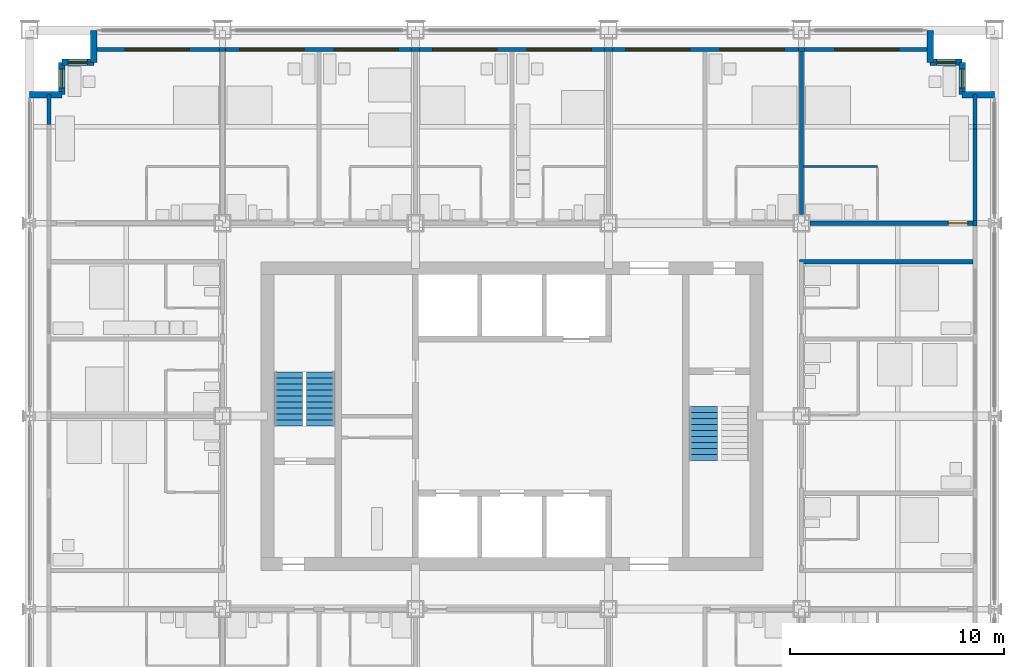
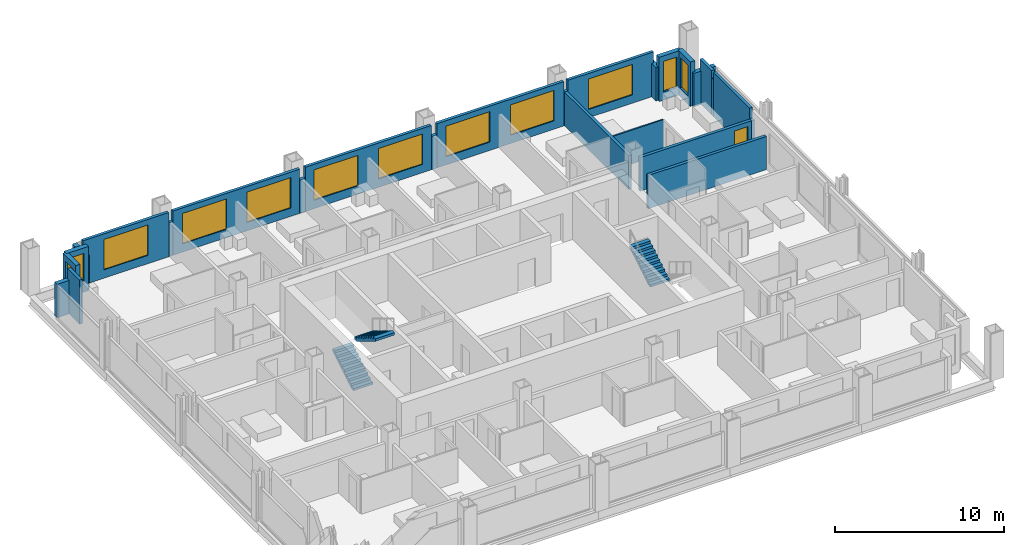
# One storey, part 13 of 17: 26 walls, 12 windows, 3 stair flights, 1 door, 13 openings, 2 elements without a shape of their own.
"""IFC4 building model written with IfcOpenShell, lengths in metres."""

from ifc_helpers import new_model, si_unit, direction, frame, frame_2d, origin, place, context, subcontext, project, spatial, polyline, rectangle, outline, extrude, material, layer, layer_set, type_object, element, fill, aggregate, save


model = new_model("IFC4")

# Units and contexts
model_context = context("Model", 3, precision=1e-05, world=origin(), true_north=direction((0.0, 1.0)))
body_context = subcontext(model_context, "Body", "Model", "MODEL_VIEW")
ifc_project = project(units=[si_unit("LENGTHUNIT", "METRE"), si_unit("AREAUNIT", "SQUARE_METRE"), si_unit("VOLUMEUNIT", "CUBIC_METRE"), si_unit("PLANEANGLEUNIT", "RADIAN"), si_unit("MASSUNIT", "GRAM", prefix="KILO")], contexts=[model_context])

# Site, building, storey
site_placement = place(None, origin())
site = spatial("IfcSite", under=ifc_project, at=site_placement, CompositionType="ELEMENT")
building_placement = place(site_placement, origin())
building = spatial("IfcBuilding", under=site, at=building_placement, Name="Loomwork Tower", CompositionType="ELEMENT")
storey_placement = place(building_placement, frame((0.0, 0.0, 145.199951171875)))
storey = spatial("IfcBuildingStorey", under=building, at=storey_placement, Name="L39", CompositionType="ELEMENT", Elevation=145.199951171875)

# Wall, opening, door
ifc_material_1 = material(Name="Gypsum board on steel studs, one-hour", Category="steel")
ifc_layer_1 = layer(ifc_material_1, 0.199951171875)
ifc_layer_set_1 = layer_set([ifc_layer_1], Name="Corridor wall 200")
wall_type_1 = type_object("IfcWallType", Name="Corridor wall 200", PredefinedType="PARTITIONING", material=ifc_layer_set_1)
wall_1_placement = place(storey_placement, frame((36.39990234375, 27.0, 0.0), z_axis=(0.0, 0.0, 1.0), x_axis=(1.0, 0.0, 0.0)))
wall_1 = element("IfcWall", 1, at=wall_1_placement, inside=storey, type_object=wall_type_1, Name="North corridor wall 5", PredefinedType="PARTITIONING", context=body_context, shape_type="SweptSolid", body=[
    extrude(rectangle(XDim=7.60009765625, YDim=0.199951171875, at=frame_2d((3.800048828125, 0.0))), origin(), (0.0, 0.0, 1.0), 2.43798828125),
])
opening_1_placement = place(wall_1_placement, frame((6.449951171875, 0.0, 0.0)))
opening_1 = element("IfcOpeningElement", 2, at=opening_1_placement, cuts=wall_1, Name="Opening D1", PredefinedType="OPENING", context=body_context, shape_type="SweptSolid", body=[
    extrude(rectangle(XDim=0.89990234375, YDim=2.10009765625, at=frame_2d((0.449951171875, 1.050048828125))), frame((0.0, 0.10986328125, 0.0), z_axis=(0.0, -1.0, 0.0), x_axis=(1.0, 0.0, 0.0)), (0.0, 0.0, 1.0), 0.219970703125),
])
ifc_material_2 = material(Name="Hollow metal door and frame")
door_type = type_object("IfcDoorType", Name="Guest room entry door 900", OperationType="SINGLE_SWING_LEFT", PredefinedType="DOOR", material=ifc_material_2)
door_placement = place(opening_1_placement, origin())
door = element("IfcDoor", 3, at=door_placement, inside=storey, type_object=door_type, Name="Guest room entry door L39 13", OperationType="SINGLE_SWING_RIGHT", OverallHeight=2.10009765625, OverallWidth=0.89990234375, PredefinedType="DOOR", context=body_context, shape_type="SweptSolid", body=[
    extrude(rectangle(XDim=0.89990234375, YDim=2.10009765625, at=frame_2d((0.449951171875, 1.050048828125))), frame((0.0, 0.02490234375, 0.0), z_axis=(0.0, -1.0, 0.0), x_axis=(1.0, 0.0, 0.0)), (0.0, 0.0, 1.0), 0.050048828125),
])
fill(opening_1, door)

# Walls
wall_2_placement = place(storey_placement, frame((35.89990234375, 25.199951171875, 0.0), z_axis=(0.0, 0.0, 1.0), x_axis=(1.0, 0.0, 0.0)))
element("IfcWall", 4, at=wall_2_placement, inside=storey, type_object=wall_type_1, Name="East band end wall N", PredefinedType="PARTITIONING", context=body_context, shape_type="SweptSolid", body=[
    extrude(rectangle(XDim=8.10009765625, YDim=0.199951171875, at=frame_2d((4.050048828125, 0.0))), origin(), (0.0, 0.0, 1.0), 2.404052734375),
])
ifc_material_3 = material(Name="Cement board on steel studs", Category="steel")
ifc_layer_2 = layer(ifc_material_3, 0.10009765625)
ifc_layer_set_2 = layer_set([ifc_layer_2], Name="En-suite partition 100")
wall_type_2 = type_object("IfcWallType", Name="En-suite partition 100", PredefinedType="PARTITIONING", material=ifc_layer_set_2)
wall_3_placement = place(storey_placement, frame((36.10009765625, 29.64990234375, 0.0), z_axis=(0.0, 0.0, 1.0), x_axis=(1.0, 0.0, 0.0)))
element("IfcWall", 5, at=wall_3_placement, inside=storey, type_object=wall_type_2, Name="En-suite wall L39 room 13", PredefinedType="PARTITIONING", context=body_context, shape_type="SweptSolid", body=[
    extrude(rectangle(XDim=3.449951171875, YDim=0.10009765625, at=frame_2d((1.72509765625, 0.0))), origin(), (0.0, 0.0, 1.0), 2.43798828125),
])
ifc_material_4 = material(Name="Gypsum board on steel studs, acoustic", Category="steel")
ifc_layer_3 = layer(ifc_material_4, 0.199951171875)
ifc_layer_set_3 = layer_set([ifc_layer_3], Name="Guest room party wall 200")
wall_type_3 = type_object("IfcWallType", Name="Guest room party wall 200", PredefinedType="PARTITIONING", material=ifc_layer_set_3)
wall_4_placement = place(storey_placement, frame((36.0, 27.39990234375, 0.0), z_axis=(0.0, 0.0, 1.0), x_axis=(0.0, 1.0, 0.0)))
element("IfcWall", 6, at=wall_4_placement, inside=storey, type_object=wall_type_3, Name="Guest room party wall N 36", PredefinedType="PARTITIONING", context=body_context, shape_type="SweptSolid", body=[
    extrude(rectangle(XDim=7.60009765625, YDim=0.199951171875, at=frame_2d((3.800048828125, 0.0))), origin(), (0.0, 0.0, 1.0), 2.43798828125),
])

# Wall, opening, window
ifc_material_5 = material(Name="Insulated steel stud wall with gypsum lining", Category="steel")
ifc_layer_4 = layer(ifc_material_5, 0.199951171875)
ifc_layer_set_4 = layer_set([ifc_layer_4], Name="Inner skin wall 200")
wall_type_4 = type_object("IfcWallType", Name="Inner skin wall 200", PredefinedType="SOLIDWALL", material=ifc_layer_set_4)
wall_5_placement = place(storey_placement, frame((3.0, 35.10009765625, 0.0), z_axis=(0.0, 0.0, 1.0), x_axis=(1.0, 0.0, 0.0)))
wall_5 = element("IfcWall", 7, at=wall_5_placement, inside=storey, type_object=wall_type_4, Name="Inner skin wall N", PredefinedType="SOLIDWALL", context=body_context, shape_type="SweptSolid", body=[
    extrude(rectangle(XDim=5.86474609375, YDim=0.199951171875, at=frame_2d((2.932373046875, 0.0))), origin(), (0.0, 0.0, 1.0), 3.199951171875),
])
opening_2_placement = place(wall_5_placement, frame((1.449951171875, 0.0, 0.60009765625)))
opening_2 = element("IfcOpeningElement", 8, at=opening_2_placement, cuts=wall_5, Name="Opening CH1", PredefinedType="OPENING", context=body_context, shape_type="SweptSolid", body=[
    extrude(rectangle(XDim=3.0, YDim=2.199951171875, at=frame_2d((1.5, 1.10009765625))), frame((0.0, 0.10986328125, 0.0), z_axis=(0.0, -1.0, 0.0), x_axis=(1.0, 0.0, 0.0)), (0.0, 0.0, 1.0), 0.219970703125),
])
ifc_material_6 = material(Name="Aluminium frame with clear insulated glass", Category="aluminium")
window_type_1 = type_object("IfcWindowType", Name="Chicago window 3000", PartitioningType="TRIPLE_PANEL_VERTICAL", PredefinedType="WINDOW", material=ifc_material_6)
window_1_placement = place(opening_2_placement, origin())
window_1 = element("IfcWindow", 9, at=window_1_placement, inside=storey, type_object=window_type_1, Name="Chicago window L39 bay 6", OverallHeight=2.199951171875, OverallWidth=3.0, PartitioningType="TRIPLE_PANEL_VERTICAL", PredefinedType="WINDOW", context=body_context, shape_type="SweptSolid", body=[
    extrude(rectangle(XDim=3.0, YDim=2.199951171875, at=frame_2d((1.5, 1.10009765625))), frame((0.0, 0.030029296875, 0.0), z_axis=(0.0, -1.0, 0.0), x_axis=(1.0, 0.0, 0.0)), (0.0, 0.0, 1.0), 0.06005859375),
])
fill(opening_2, window_1)

# Walls
wall_6_placement = place(storey_placement, frame((0.89990234375, 31.607421875, 0.0), z_axis=(0.0, 0.0, 1.0), x_axis=(0.0, 1.0, 0.0)))
element("IfcWall", 10, at=wall_6_placement, inside=storey, type_object=wall_type_4, Name="Inner skin wall W bay 11", PredefinedType="SOLIDWALL", context=body_context, shape_type="SweptSolid", body=[
    extrude(rectangle(XDim=1.392578125, YDim=0.199951171875, at=frame_2d((0.6962890625, 0.0))), origin(), (0.0, 0.0, 1.0), 3.199951171875),
])
wall_7_placement = place(storey_placement, frame((8.86474609375, 35.10009765625, 0.0), z_axis=(0.0, 0.0, 1.0), x_axis=(1.0, 0.0, 0.0)))
element("IfcWall", 11, at=wall_7_placement, inside=storey, type_object=wall_type_4, Name="Inner skin wall N bay 2", PredefinedType="SOLIDWALL", context=body_context, shape_type="SweptSolid", body=[
    extrude(rectangle(XDim=0.2705078125, YDim=0.199951171875, at=frame_2d((0.13525390625, 0.0))), origin(), (0.0, 0.0, 1.0), 2.43798828125),
])

# Wall, openings, windows
wall_8_placement = place(storey_placement, frame((9.13525390625, 35.10009765625, 0.0), z_axis=(0.0, 0.0, 1.0), x_axis=(1.0, 0.0, 0.0)))
wall_8 = element("IfcWall", 12, at=wall_8_placement, inside=storey, type_object=wall_type_4, Name="Inner skin wall N bay 3", PredefinedType="SOLIDWALL", context=body_context, shape_type="SweptSolid", body=[
    extrude(rectangle(XDim=8.6708984375, YDim=0.199951171875, at=frame_2d((4.33544921875, 0.0))), origin(), (0.0, 0.0, 1.0), 3.199951171875),
])
opening_3_placement = place(wall_8_placement, frame((0.664794921875, 0.0, 0.60009765625)))
opening_3 = element("IfcOpeningElement", 13, at=opening_3_placement, cuts=wall_8, Name="Opening CH1", PredefinedType="OPENING", context=body_context, shape_type="SweptSolid", body=[
    extrude(rectangle(XDim=3.0, YDim=2.199951171875, at=frame_2d((1.5, 1.10009765625))), frame((0.0, 0.10986328125, 0.0), z_axis=(0.0, -1.0, 0.0), x_axis=(1.0, 0.0, 0.0)), (0.0, 0.0, 1.0), 0.219970703125),
])
opening_4_placement = place(wall_8_placement, frame((5.064697265625, 0.0, 0.60009765625)))
opening_4 = element("IfcOpeningElement", 14, at=opening_4_placement, cuts=wall_8, Name="Opening CH1", PredefinedType="OPENING", context=body_context, shape_type="SweptSolid", body=[
    extrude(rectangle(XDim=3.0, YDim=2.199951171875, at=frame_2d((1.5, 1.10009765625))), frame((0.0, 0.10986328125, 0.0), z_axis=(0.0, -1.0, 0.0), x_axis=(1.0, 0.0, 0.0)), (0.0, 0.0, 1.0), 0.219970703125),
])
window_2_placement = place(opening_3_placement, origin())
window_2 = element("IfcWindow", 15, at=window_2_placement, inside=storey, type_object=window_type_1, Name="Chicago window L39 bay 7", OverallHeight=2.199951171875, OverallWidth=3.0, PartitioningType="TRIPLE_PANEL_VERTICAL", PredefinedType="WINDOW", context=body_context, shape_type="SweptSolid", body=[
    extrude(rectangle(XDim=3.0, YDim=2.199951171875, at=frame_2d((1.5, 1.10009765625))), frame((0.0, 0.030029296875, 0.0), z_axis=(0.0, -1.0, 0.0), x_axis=(1.0, 0.0, 0.0)), (0.0, 0.0, 1.0), 0.06005859375),
])
fill(opening_3, window_2)
window_3_placement = place(opening_4_placement, origin())
window_3 = element("IfcWindow", 16, at=window_3_placement, inside=storey, type_object=window_type_1, Name="Chicago window L39 bay 7", OverallHeight=2.199951171875, OverallWidth=3.0, PartitioningType="TRIPLE_PANEL_VERTICAL", PredefinedType="WINDOW", context=body_context, shape_type="SweptSolid", body=[
    extrude(rectangle(XDim=3.0, YDim=2.199951171875, at=frame_2d((1.5, 1.10009765625))), frame((0.0, 0.030029296875, 0.0), z_axis=(0.0, -1.0, 0.0), x_axis=(1.0, 0.0, 0.0)), (0.0, 0.0, 1.0), 0.06005859375),
])
fill(opening_4, window_3)

# Wall
wall_9_placement = place(storey_placement, frame((17.80615234375, 35.10009765625, 0.0), z_axis=(0.0, 0.0, 1.0), x_axis=(1.0, 0.0, 0.0)))
element("IfcWall", 17, at=wall_9_placement, inside=storey, type_object=wall_type_4, Name="Inner skin wall N bay 4", PredefinedType="SOLIDWALL", context=body_context, shape_type="SweptSolid", body=[
    extrude(rectangle(XDim=0.3876953125, YDim=0.199951171875, at=frame_2d((0.19384765625, 0.0))), origin(), (0.0, 0.0, 1.0), 2.404052734375),
])

# Wall, openings, windows
wall_10_placement = place(storey_placement, frame((18.19384765625, 35.10009765625, 0.0), z_axis=(0.0, 0.0, 1.0), x_axis=(1.0, 0.0, 0.0)))
wall_10 = element("IfcWall", 18, at=wall_10_placement, inside=storey, type_object=wall_type_4, Name="Inner skin wall N bay 5", PredefinedType="SOLIDWALL", context=body_context, shape_type="SweptSolid", body=[
    extrude(rectangle(XDim=8.6123046875, YDim=0.199951171875, at=frame_2d((4.30615234375, 0.0))), origin(), (0.0, 0.0, 1.0), 3.199951171875),
])
opening_5_placement = place(wall_10_placement, frame((0.606201171875, 0.0, 0.60009765625)))
opening_5 = element("IfcOpeningElement", 19, at=opening_5_placement, cuts=wall_10, Name="Opening CH1", PredefinedType="OPENING", context=body_context, shape_type="SweptSolid", body=[
    extrude(rectangle(XDim=3.0, YDim=2.199951171875, at=frame_2d((1.5, 1.10009765625))), frame((0.0, 0.10986328125, 0.0), z_axis=(0.0, -1.0, 0.0), x_axis=(1.0, 0.0, 0.0)), (0.0, 0.0, 1.0), 0.219970703125),
])
opening_6_placement = place(wall_10_placement, frame((5.006103515625, 0.0, 0.60009765625)))
opening_6 = element("IfcOpeningElement", 20, at=opening_6_placement, cuts=wall_10, Name="Opening CH1", PredefinedType="OPENING", context=body_context, shape_type="SweptSolid", body=[
    extrude(rectangle(XDim=3.0, YDim=2.199951171875, at=frame_2d((1.5, 1.10009765625))), frame((0.0, 0.10986328125, 0.0), z_axis=(0.0, -1.0, 0.0), x_axis=(1.0, 0.0, 0.0)), (0.0, 0.0, 1.0), 0.219970703125),
])
window_4_placement = place(opening_5_placement, origin())
window_4 = element("IfcWindow", 21, at=window_4_placement, inside=storey, type_object=window_type_1, Name="Chicago window L39 bay 8", OverallHeight=2.199951171875, OverallWidth=3.0, PartitioningType="TRIPLE_PANEL_VERTICAL", PredefinedType="WINDOW", context=body_context, shape_type="SweptSolid", body=[
    extrude(rectangle(XDim=3.0, YDim=2.199951171875, at=frame_2d((1.5, 1.10009765625))), frame((0.0, 0.030029296875, 0.0), z_axis=(0.0, -1.0, 0.0), x_axis=(1.0, 0.0, 0.0)), (0.0, 0.0, 1.0), 0.06005859375),
])
fill(opening_5, window_4)
window_5_placement = place(opening_6_placement, origin())
window_5 = element("IfcWindow", 22, at=window_5_placement, inside=storey, type_object=window_type_1, Name="Chicago window L39 bay 8", OverallHeight=2.199951171875, OverallWidth=3.0, PartitioningType="TRIPLE_PANEL_VERTICAL", PredefinedType="WINDOW", context=body_context, shape_type="SweptSolid", body=[
    extrude(rectangle(XDim=3.0, YDim=2.199951171875, at=frame_2d((1.5, 1.10009765625))), frame((0.0, 0.030029296875, 0.0), z_axis=(0.0, -1.0, 0.0), x_axis=(1.0, 0.0, 0.0)), (0.0, 0.0, 1.0), 0.06005859375),
])
fill(opening_6, window_5)

# Wall
wall_11_placement = place(storey_placement, frame((26.80615234375, 35.10009765625, 0.0), z_axis=(0.0, 0.0, 1.0), x_axis=(1.0, 0.0, 0.0)))
element("IfcWall", 23, at=wall_11_placement, inside=storey, type_object=wall_type_4, Name="Inner skin wall N bay 6", PredefinedType="SOLIDWALL", context=body_context, shape_type="SweptSolid", body=[
    extrude(rectangle(XDim=0.3876953125, YDim=0.199951171875, at=frame_2d((0.19384765625, 0.0))), origin(), (0.0, 0.0, 1.0), 2.404052734375),
])

# Wall, openings, windows
wall_12_placement = place(storey_placement, frame((27.19384765625, 35.10009765625, 0.0), z_axis=(0.0, 0.0, 1.0), x_axis=(1.0, 0.0, 0.0)))
wall_12 = element("IfcWall", 24, at=wall_12_placement, inside=storey, type_object=wall_type_4, Name="Inner skin wall N bay 7", PredefinedType="SOLIDWALL", context=body_context, shape_type="SweptSolid", body=[
    extrude(rectangle(XDim=8.670654296875, YDim=0.199951171875, at=frame_2d((4.33544921875, 0.0))), origin(), (0.0, 0.0, 1.0), 3.199951171875),
])
opening_7_placement = place(wall_12_placement, frame((0.606201171875, 0.0, 0.60009765625)))
opening_7 = element("IfcOpeningElement", 25, at=opening_7_placement, cuts=wall_12, Name="Opening CH1", PredefinedType="OPENING", context=body_context, shape_type="SweptSolid", body=[
    extrude(rectangle(XDim=3.0, YDim=2.199951171875, at=frame_2d((1.5, 1.10009765625))), frame((0.0, 0.10986328125, 0.0), z_axis=(0.0, -1.0, 0.0), x_axis=(1.0, 0.0, 0.0)), (0.0, 0.0, 1.0), 0.219970703125),
])
opening_8_placement = place(wall_12_placement, frame((5.006103515625, 0.0, 0.60009765625)))
opening_8 = element("IfcOpeningElement", 26, at=opening_8_placement, cuts=wall_12, Name="Opening CH1", PredefinedType="OPENING", context=body_context, shape_type="SweptSolid", body=[
    extrude(rectangle(XDim=3.0, YDim=2.199951171875, at=frame_2d((1.5, 1.10009765625))), frame((0.0, 0.10986328125, 0.0), z_axis=(0.0, -1.0, 0.0), x_axis=(1.0, 0.0, 0.0)), (0.0, 0.0, 1.0), 0.219970703125),
])
window_6_placement = place(opening_7_placement, origin())
window_6 = element("IfcWindow", 27, at=window_6_placement, inside=storey, type_object=window_type_1, Name="Chicago window L39 bay 9", OverallHeight=2.199951171875, OverallWidth=3.0, PartitioningType="TRIPLE_PANEL_VERTICAL", PredefinedType="WINDOW", context=body_context, shape_type="SweptSolid", body=[
    extrude(rectangle(XDim=3.0, YDim=2.199951171875, at=frame_2d((1.5, 1.10009765625))), frame((0.0, 0.030029296875, 0.0), z_axis=(0.0, -1.0, 0.0), x_axis=(1.0, 0.0, 0.0)), (0.0, 0.0, 1.0), 0.06005859375),
])
fill(opening_7, window_6)
window_7_placement = place(opening_8_placement, origin())
window_7 = element("IfcWindow", 28, at=window_7_placement, inside=storey, type_object=window_type_1, Name="Chicago window L39 bay 9", OverallHeight=2.199951171875, OverallWidth=3.0, PartitioningType="TRIPLE_PANEL_VERTICAL", PredefinedType="WINDOW", context=body_context, shape_type="SweptSolid", body=[
    extrude(rectangle(XDim=3.0, YDim=2.199951171875, at=frame_2d((1.5, 1.10009765625))), frame((0.0, 0.030029296875, 0.0), z_axis=(0.0, -1.0, 0.0), x_axis=(1.0, 0.0, 0.0)), (0.0, 0.0, 1.0), 0.06005859375),
])
fill(opening_8, window_7)

# Wall
wall_13_placement = place(storey_placement, frame((35.864501953125, 35.10009765625, 0.0), z_axis=(0.0, 0.0, 1.0), x_axis=(1.0, 0.0, 0.0)))
element("IfcWall", 29, at=wall_13_placement, inside=storey, type_object=wall_type_4, Name="Inner skin wall N bay 8", PredefinedType="SOLIDWALL", context=body_context, shape_type="SweptSolid", body=[
    extrude(rectangle(XDim=0.27099609375, YDim=0.199951171875, at=frame_2d((0.135498046875, 0.0))), origin(), (0.0, 0.0, 1.0), 2.43798828125),
])

# Wall, opening, window
wall_14_placement = place(storey_placement, frame((36.135498046875, 35.10009765625, 0.0), z_axis=(0.0, 0.0, 1.0), x_axis=(1.0, 0.0, 0.0)))
wall_14 = element("IfcWall", 30, at=wall_14_placement, inside=storey, type_object=wall_type_4, Name="Inner skin wall N bay 9", PredefinedType="SOLIDWALL", context=body_context, shape_type="SweptSolid", body=[
    extrude(rectangle(XDim=5.864501953125, YDim=0.199951171875, at=frame_2d((2.93212890625, 0.0))), origin(), (0.0, 0.0, 1.0), 3.199951171875),
])
opening_9_placement = place(wall_14_placement, frame((1.41455078125, 0.0, 0.60009765625)))
opening_9 = element("IfcOpeningElement", 31, at=opening_9_placement, cuts=wall_14, Name="Opening CH1", PredefinedType="OPENING", context=body_context, shape_type="SweptSolid", body=[
    extrude(rectangle(XDim=3.0, YDim=2.199951171875, at=frame_2d((1.5, 1.10009765625))), frame((0.0, 0.10986328125, 0.0), z_axis=(0.0, -1.0, 0.0), x_axis=(1.0, 0.0, 0.0)), (0.0, 0.0, 1.0), 0.219970703125),
])
window_8_placement = place(opening_9_placement, origin())
window_8 = element("IfcWindow", 32, at=window_8_placement, inside=storey, type_object=window_type_1, Name="Chicago window L39 bay 10", OverallHeight=2.199951171875, OverallWidth=3.0, PartitioningType="TRIPLE_PANEL_VERTICAL", PredefinedType="WINDOW", context=body_context, shape_type="SweptSolid", body=[
    extrude(rectangle(XDim=3.0, YDim=2.199951171875, at=frame_2d((1.5, 1.10009765625))), frame((0.0, 0.030029296875, 0.0), z_axis=(0.0, -1.0, 0.0), x_axis=(1.0, 0.0, 0.0)), (0.0, 0.0, 1.0), 0.06005859375),
])
fill(opening_9, window_8)

# Walls
wall_15_placement = place(storey_placement, frame((44.10009765625, 26.86474609375, 0.0), z_axis=(0.0, 0.0, 1.0), x_axis=(0.0, 1.0, 0.0)))
element("IfcWall", 33, at=wall_15_placement, inside=storey, type_object=wall_type_4, Name="Inner skin wall E bay 8", PredefinedType="SOLIDWALL", context=body_context, shape_type="SweptSolid", body=[
    extrude(rectangle(XDim=0.2705078125, YDim=0.199951171875, at=frame_2d((0.13525390625, 0.0))), origin(), (0.0, 0.0, 1.0), 2.43798828125),
])
wall_16_placement = place(storey_placement, frame((44.10009765625, 27.13525390625, 0.0), z_axis=(0.0, 0.0, 1.0), x_axis=(0.0, 1.0, 0.0)))
element("IfcWall", 34, at=wall_16_placement, inside=storey, type_object=wall_type_4, Name="Inner skin wall E bay 9", PredefinedType="SOLIDWALL", context=body_context, shape_type="SweptSolid", body=[
    extrude(rectangle(XDim=4.25732421875, YDim=0.199951171875, at=frame_2d((2.128662109375, 0.0))), origin(), (0.0, 0.0, 1.0), 3.199951171875),
])
wall_17_placement = place(storey_placement, frame((44.10009765625, 31.392578125, 0.0), z_axis=(0.0, 0.0, 1.0), x_axis=(0.0, 1.0, 0.0)))
element("IfcWall", 35, at=wall_17_placement, inside=storey, type_object=wall_type_4, Name="Inner skin wall E bay 10", PredefinedType="SOLIDWALL", context=body_context, shape_type="SweptSolid", body=[
    extrude(rectangle(XDim=0.21484375, YDim=0.199951171875, at=frame_2d((0.107421875, 0.0))), origin(), (0.0, 0.0, 1.0), 2.6611328125),
])
wall_18_placement = place(storey_placement, frame((44.10009765625, 31.607421875, 0.0), z_axis=(0.0, 0.0, 1.0), x_axis=(0.0, 1.0, 0.0)))
element("IfcWall", 36, at=wall_18_placement, inside=storey, type_object=wall_type_4, Name="Inner skin wall E bay 11", PredefinedType="SOLIDWALL", context=body_context, shape_type="SweptSolid", body=[
    extrude(rectangle(XDim=1.392578125, YDim=0.199951171875, at=frame_2d((0.6962890625, 0.0))), origin(), (0.0, 0.0, 1.0), 3.199951171875),
])
ifc_material_7 = material(Name="Limestone on concrete masonry", Category="masonry")
ifc_layer_5 = layer(ifc_material_7, 0.300048828125)
ifc_layer_set_5 = layer_set([ifc_layer_5], Name="Limestone corner wall 300")
wall_type_5 = type_object("IfcWallType", Name="Limestone corner wall 300", PredefinedType="SOLIDWALL", material=ifc_layer_set_5)
wall_19_placement = place(storey_placement, frame((45.0, 33.0, 0.0), z_axis=(0.0, 0.0, 1.0), x_axis=(-1.0, 0.0, 0.0)))
element("IfcWall", 37, at=wall_19_placement, inside=storey, type_object=wall_type_5, Name="Stone corner wall NE 1", PredefinedType="SOLIDWALL", context=body_context, shape_type="SweptSolid", body=[
    extrude(rectangle(XDim=1.5, YDim=0.300048828125, at=frame_2d((0.75, 0.0))), origin(), (0.0, 0.0, 1.0), 2.420166015625),
])

# Wall, opening, window
wall_20_placement = place(storey_placement, frame((43.5, 33.0, 0.0), z_axis=(0.0, 0.0, 1.0), x_axis=(0.0, 1.0, 0.0)))
wall_20 = element("IfcWall", 38, at=wall_20_placement, inside=storey, type_object=wall_type_5, Name="Stone corner wall NE 2", PredefinedType="SOLIDWALL", context=body_context, shape_type="SweptSolid", body=[
    extrude(rectangle(XDim=1.5, YDim=0.300048828125, at=frame_2d((0.75, 0.0))), origin(), (0.0, 0.0, 1.0), 3.199951171875),
])
opening_10_placement = place(wall_20_placement, frame((0.300048828125, 0.0, 0.60009765625)))
opening_10 = element("IfcOpeningElement", 39, at=opening_10_placement, cuts=wall_20, Name="Opening CH2", PredefinedType="OPENING", context=body_context, shape_type="SweptSolid", body=[
    extrude(rectangle(XDim=0.89990234375, YDim=2.199951171875, at=frame_2d((0.449951171875, 1.10009765625))), frame((0.0, 0.159912109375, 0.0), z_axis=(0.0, -1.0, 0.0), x_axis=(1.0, 0.0, 0.0)), (0.0, 0.0, 1.0), 0.320068359375),
])
ifc_material_8 = material(Name="Aluminium frame with clear insulated glass", Category="aluminium")
window_type_2 = type_object("IfcWindowType", Name="Corner window 900", PartitioningType="SINGLE_PANEL", PredefinedType="WINDOW", material=ifc_material_8)
window_9_placement = place(opening_10_placement, origin())
window_9 = element("IfcWindow", 40, at=window_9_placement, inside=storey, type_object=window_type_2, Name="Corner window NE", OverallHeight=2.199951171875, OverallWidth=0.89990234375, PartitioningType="SINGLE_PANEL", PredefinedType="WINDOW", context=body_context, shape_type="SweptSolid", body=[
    extrude(rectangle(XDim=0.89990234375, YDim=2.199951171875, at=frame_2d((0.449951171875, 1.10009765625))), frame((0.0, 0.030029296875, 0.0), z_axis=(0.0, -1.0, 0.0), x_axis=(1.0, 0.0, 0.0)), (0.0, 0.0, 1.0), 0.06005859375),
])
fill(opening_10, window_9)

wall_21_placement = place(storey_placement, frame((43.5, 34.5, 0.0), z_axis=(0.0, 0.0, 1.0), x_axis=(-1.0, 0.0, 0.0)))
wall_21 = element("IfcWall", 41, at=wall_21_placement, inside=storey, type_object=wall_type_5, Name="Stone corner wall NE 3", PredefinedType="SOLIDWALL", context=body_context, shape_type="SweptSolid", body=[
    extrude(rectangle(XDim=1.5, YDim=0.300048828125, at=frame_2d((0.75, 0.0))), origin(), (0.0, 0.0, 1.0), 3.199951171875),
])
opening_11_placement = place(wall_21_placement, frame((0.300048828125, 0.0, 0.60009765625)))
opening_11 = element("IfcOpeningElement", 42, at=opening_11_placement, cuts=wall_21, Name="Opening CH2", PredefinedType="OPENING", context=body_context, shape_type="SweptSolid", body=[
    extrude(rectangle(XDim=0.89990234375, YDim=2.199951171875, at=frame_2d((0.449951171875, 1.10009765625))), frame((0.0, 0.159912109375, 0.0), z_axis=(0.0, -1.0, 0.0), x_axis=(1.0, 0.0, 0.0)), (0.0, 0.0, 1.0), 0.320068359375),
])
window_10_placement = place(opening_11_placement, origin())
window_10 = element("IfcWindow", 43, at=window_10_placement, inside=storey, type_object=window_type_2, Name="Corner window NE", OverallHeight=2.199951171875, OverallWidth=0.89990234375, PartitioningType="SINGLE_PANEL", PredefinedType="WINDOW", context=body_context, shape_type="SweptSolid", body=[
    extrude(rectangle(XDim=0.89990234375, YDim=2.199951171875, at=frame_2d((0.449951171875, 1.10009765625))), frame((0.0, 0.030029296875, 0.0), z_axis=(0.0, -1.0, 0.0), x_axis=(1.0, 0.0, 0.0)), (0.0, 0.0, 1.0), 0.06005859375),
])
fill(opening_11, window_10)

# Walls
for number, where, z_axis, x_axis, name in (
    (44, (42.0, 34.5, 0.0), (0.0, 0.0, 1.0), (0.0, 1.0, 0.0), "Stone corner wall NE 4"),
    (45, (3.0, 36.0, 0.0), (0.0, 0.0, 1.0), (0.0, -1.0, 0.0), "Stone corner wall NW 1"),
):
    element("IfcWall", number, at=place(storey_placement, frame(where, z_axis=z_axis, x_axis=x_axis)), inside=storey, type_object=wall_type_5, Name=name, PredefinedType="SOLIDWALL", context=body_context, shape_type="SweptSolid", body=[
        extrude(rectangle(XDim=1.5, YDim=0.300048828125, at=frame_2d((0.75, 0.0))), origin(), (0.0, 0.0, 1.0), 2.420166015625),
    ])

# Wall, opening, window
wall_22_placement = place(storey_placement, frame((3.0, 34.5, 0.0), z_axis=(0.0, 0.0, 1.0), x_axis=(-1.0, 0.0, 0.0)))
wall_22 = element("IfcWall", 46, at=wall_22_placement, inside=storey, type_object=wall_type_5, Name="Stone corner wall NW 2", PredefinedType="SOLIDWALL", context=body_context, shape_type="SweptSolid", body=[
    extrude(rectangle(XDim=1.5, YDim=0.300048828125, at=frame_2d((0.75, 0.0))), origin(), (0.0, 0.0, 1.0), 3.199951171875),
])
opening_12_placement = place(wall_22_placement, frame((0.300048828125, 0.0, 0.60009765625)))
opening_12 = element("IfcOpeningElement", 47, at=opening_12_placement, cuts=wall_22, Name="Opening CH2", PredefinedType="OPENING", context=body_context, shape_type="SweptSolid", body=[
    extrude(rectangle(XDim=0.89990234375, YDim=2.199951171875, at=frame_2d((0.449951171875, 1.10009765625))), frame((0.0, 0.159912109375, 0.0), z_axis=(0.0, -1.0, 0.0), x_axis=(1.0, 0.0, 0.0)), (0.0, 0.0, 1.0), 0.320068359375),
])
window_11_placement = place(opening_12_placement, origin())
window_11 = element("IfcWindow", 48, at=window_11_placement, inside=storey, type_object=window_type_2, Name="Corner window NW", OverallHeight=2.199951171875, OverallWidth=0.89990234375, PartitioningType="SINGLE_PANEL", PredefinedType="WINDOW", context=body_context, shape_type="SweptSolid", body=[
    extrude(rectangle(XDim=0.89990234375, YDim=2.199951171875, at=frame_2d((0.449951171875, 1.10009765625))), frame((0.0, 0.030029296875, 0.0), z_axis=(0.0, -1.0, 0.0), x_axis=(1.0, 0.0, 0.0)), (0.0, 0.0, 1.0), 0.06005859375),
])
fill(opening_12, window_11)

wall_23_placement = place(storey_placement, frame((1.5, 34.5, 0.0), z_axis=(0.0, 0.0, 1.0), x_axis=(0.0, -1.0, 0.0)))
wall_23 = element("IfcWall", 49, at=wall_23_placement, inside=storey, type_object=wall_type_5, Name="Stone corner wall NW 3", PredefinedType="SOLIDWALL", context=body_context, shape_type="SweptSolid", body=[
    extrude(rectangle(XDim=1.5, YDim=0.300048828125, at=frame_2d((0.75, 0.0))), origin(), (0.0, 0.0, 1.0), 3.199951171875),
])
opening_13_placement = place(wall_23_placement, frame((0.300048828125, 0.0, 0.60009765625)))
opening_13 = element("IfcOpeningElement", 50, at=opening_13_placement, cuts=wall_23, Name="Opening CH2", PredefinedType="OPENING", context=body_context, shape_type="SweptSolid", body=[
    extrude(rectangle(XDim=0.89990234375, YDim=2.199951171875, at=frame_2d((0.449951171875, 1.10009765625))), frame((0.0, 0.159912109375, 0.0), z_axis=(0.0, -1.0, 0.0), x_axis=(1.0, 0.0, 0.0)), (0.0, 0.0, 1.0), 0.320068359375),
])
window_12_placement = place(opening_13_placement, origin())
window_12 = element("IfcWindow", 51, at=window_12_placement, inside=storey, type_object=window_type_2, Name="Corner window NW", OverallHeight=2.199951171875, OverallWidth=0.89990234375, PartitioningType="SINGLE_PANEL", PredefinedType="WINDOW", context=body_context, shape_type="SweptSolid", body=[
    extrude(rectangle(XDim=0.89990234375, YDim=2.199951171875, at=frame_2d((0.449951171875, 1.10009765625))), frame((0.0, 0.030029296875, 0.0), z_axis=(0.0, -1.0, 0.0), x_axis=(1.0, 0.0, 0.0)), (0.0, 0.0, 1.0), 0.06005859375),
])
fill(opening_13, window_12)

# Wall
wall_24_placement = place(storey_placement, frame((1.5, 33.0, 0.0), z_axis=(0.0, 0.0, 1.0), x_axis=(-1.0, 0.0, 0.0)))
element("IfcWall", 52, at=wall_24_placement, inside=storey, type_object=wall_type_5, Name="Stone corner wall NW 4", PredefinedType="SOLIDWALL", context=body_context, shape_type="SweptSolid", body=[
    extrude(rectangle(XDim=1.5, YDim=0.300048828125, at=frame_2d((0.75, 0.0))), origin(), (0.0, 0.0, 1.0), 2.420166015625),
])

# Stair, stair flights
ifc_material_9 = material(Name="Concrete 5000 psi (34 MPa) precast stair", Category="concrete")
stair_type_1 = type_object("IfcStairType", Name="Stair ST-A 20 risers 2850 wide", PredefinedType="HALF_TURN_STAIR", material=ifc_material_9)
stair_1_placement = place(storey_placement, origin())
stair_1 = element("IfcStair", 53, at=stair_1_placement, inside=storey, type_object=stair_type_1, Name="Stair A L39", PredefinedType="HALF_TURN_STAIR")
ifc_material_10 = material(Name="Concrete 5000 psi (34 MPa) precast stair", Category="concrete")
stair_flight_type_1 = type_object("IfcStairFlightType", Name="Stair flight ST-A 10 risers 1300 wide", PredefinedType="STRAIGHT", material=ifc_material_10)
stair_flight_1_placement = place(storey_placement, frame((12.074951171875, 17.550048828125, 0.0), z_axis=(0.0, 0.0, 1.0), x_axis=(0.0, 1.0, 0.0)))
stair_flight_1 = element("IfcStairFlight", 54, at=stair_flight_1_placement, type_object=stair_flight_type_1, Name="ST-A flight 1", NumberOfRisers=10, NumberOfTreads=9, PredefinedType="STRAIGHT", RiserHeight=0.17, TreadLength=0.28, context=body_context, shape_type="SweptSolid", body=[
    extrude(outline(polyline([(0.0, 0.0), (0.0, 0.169921875), (0.280029296875, 0.169921875), (0.280029296875, 0.340087890625), (0.56005859375, 0.340087890625), (0.56005859375, 0.510009765625), (0.840087890625, 0.510009765625), (0.840087890625, 0.679931640625), (1.1201171875, 0.679931640625), (1.1201171875, 0.85009765625), (1.39990234375, 0.85009765625), (1.39990234375, 1.02001953125), (1.679931640625, 1.02001953125), (1.679931640625, 1.18994140625), (1.9599609375, 1.18994140625), (1.9599609375, 1.360107421875), (2.239990234375, 1.360107421875), (2.239990234375, 1.530029296875), (2.52001953125, 1.530029296875), (2.52001953125, 1.699951171875), (2.52001953125, 1.354736328125), (0.288818359375, 0.0), (0.0, 0.0)])), frame((0.0, 0.64990234375, 0.0), z_axis=(0.0, -1.0, 0.0), x_axis=(1.0, 0.0, 0.0)), (0.0, 0.0, 1.0), 1.300048828125),
])
stair_flight_2_placement = place(storey_placement, frame((13.574951171875, 20.070068359375, 1.699951171875), z_axis=(0.0, 0.0, 1.0), x_axis=(0.0, -1.0, 0.0)))
stair_flight_2 = element("IfcStairFlight", 55, at=stair_flight_2_placement, type_object=stair_flight_type_1, Name="ST-A flight 2", NumberOfRisers=10, NumberOfTreads=9, PredefinedType="STRAIGHT", RiserHeight=0.17, TreadLength=0.28, context=body_context, shape_type="SweptSolid", body=[
    extrude(outline(polyline([(0.0, 0.0), (0.0, 0.169921875), (0.280029296875, 0.169921875), (0.280029296875, 0.340087890625), (0.56005859375, 0.340087890625), (0.56005859375, 0.510009765625), (0.840087890625, 0.510009765625), (0.840087890625, 0.679931640625), (1.1201171875, 0.679931640625), (1.1201171875, 0.85009765625), (1.39990234375, 0.85009765625), (1.39990234375, 1.02001953125), (1.679931640625, 1.02001953125), (1.679931640625, 1.18994140625), (1.9599609375, 1.18994140625), (1.9599609375, 1.360107421875), (2.239990234375, 1.360107421875), (2.239990234375, 1.530029296875), (2.52001953125, 1.530029296875), (2.52001953125, 1.699951171875), (2.52001953125, 1.354736328125), (0.288818359375, 0.0), (0.0, 0.0)])), frame((0.0, 0.64990234375, 0.0), z_axis=(0.0, -1.0, 0.0), x_axis=(1.0, 0.0, 0.0)), (0.0, 0.0, 1.0), 1.300048828125),
])
aggregate(stair_1, [stair_flight_1, stair_flight_2])

# Stair, stair flight
ifc_material_11 = material(Name="Concrete 5000 psi (34 MPa) precast stair", Category="concrete")
stair_type_2 = type_object("IfcStairType", Name="Stair ST-B 20 risers 2850 wide", PredefinedType="HALF_TURN_STAIR", material=ifc_material_11)
stair_2_placement = place(storey_placement, origin())
stair_2 = element("IfcStair", 56, at=stair_2_placement, inside=storey, type_object=stair_type_2, Name="Stair B L39", PredefinedType="HALF_TURN_STAIR")
ifc_material_12 = material(Name="Concrete 5000 psi (34 MPa) precast stair", Category="concrete")
stair_flight_type_2 = type_object("IfcStairFlightType", Name="Stair flight ST-B 10 risers 1300 wide", PredefinedType="STRAIGHT", material=ifc_material_12)
stair_flight_3_placement = place(storey_placement, frame((31.425048828125, 15.929931640625, 1.699951171875), z_axis=(0.0, 0.0, 1.0), x_axis=(0.0, 1.0, 0.0)))
stair_flight_3 = element("IfcStairFlight", 57, at=stair_flight_3_placement, type_object=stair_flight_type_2, Name="ST-B flight 2", NumberOfRisers=10, NumberOfTreads=9, PredefinedType="STRAIGHT", RiserHeight=0.17, TreadLength=0.28, context=body_context, shape_type="SweptSolid", body=[
    extrude(outline(polyline([(0.0, 0.0), (0.0, 0.169921875), (0.280029296875, 0.169921875), (0.280029296875, 0.340087890625), (0.56005859375, 0.340087890625), (0.56005859375, 0.510009765625), (0.840087890625, 0.510009765625), (0.840087890625, 0.679931640625), (1.1201171875, 0.679931640625), (1.1201171875, 0.85009765625), (1.39990234375, 0.85009765625), (1.39990234375, 1.02001953125), (1.679931640625, 1.02001953125), (1.679931640625, 1.18994140625), (1.9599609375, 1.18994140625), (1.9599609375, 1.360107421875), (2.239990234375, 1.360107421875), (2.239990234375, 1.530029296875), (2.52001953125, 1.530029296875), (2.52001953125, 1.699951171875), (2.52001953125, 1.354736328125), (0.288818359375, 0.0), (0.0, 0.0)])), frame((0.0, 0.64990234375, 0.0), z_axis=(0.0, -1.0, 0.0), x_axis=(1.0, 0.0, 0.0)), (0.0, 0.0, 1.0), 1.300048828125),
])
aggregate(stair_2, [stair_flight_3])

save(model, "model.ifc")
